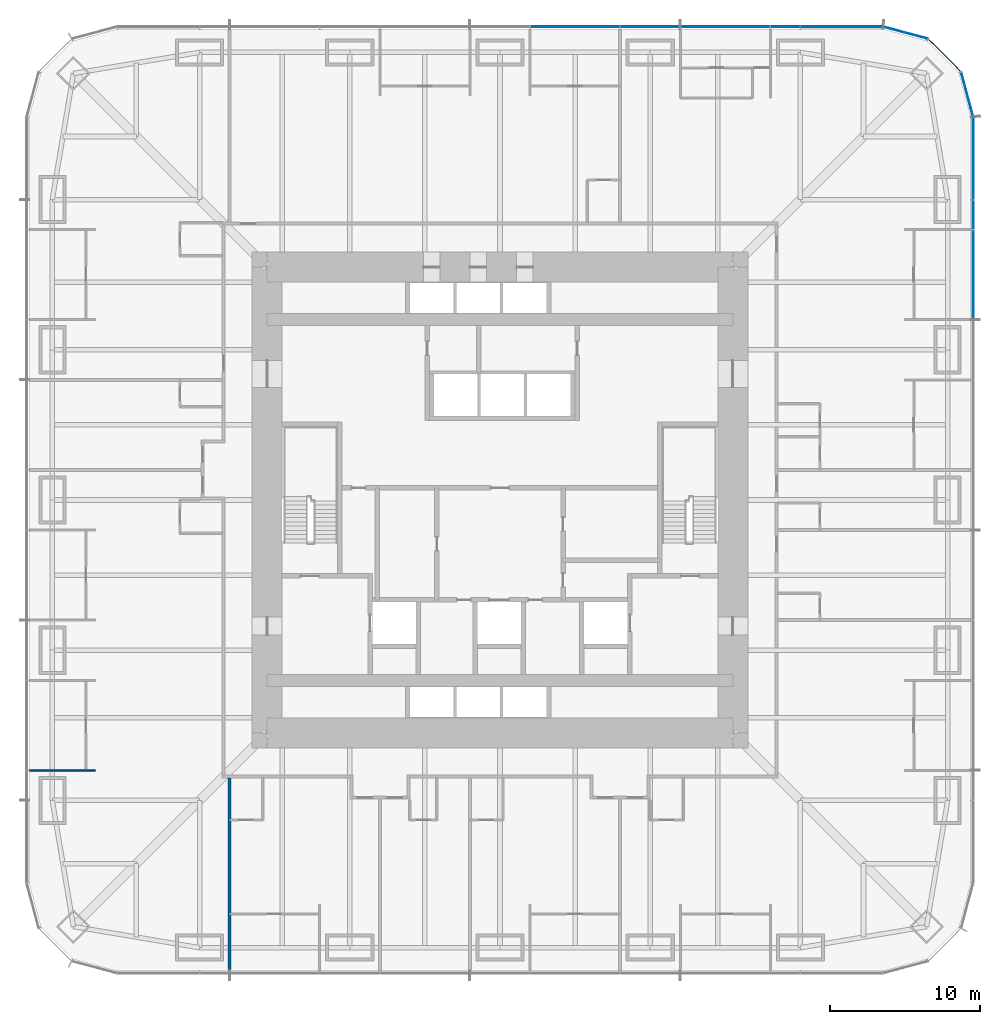
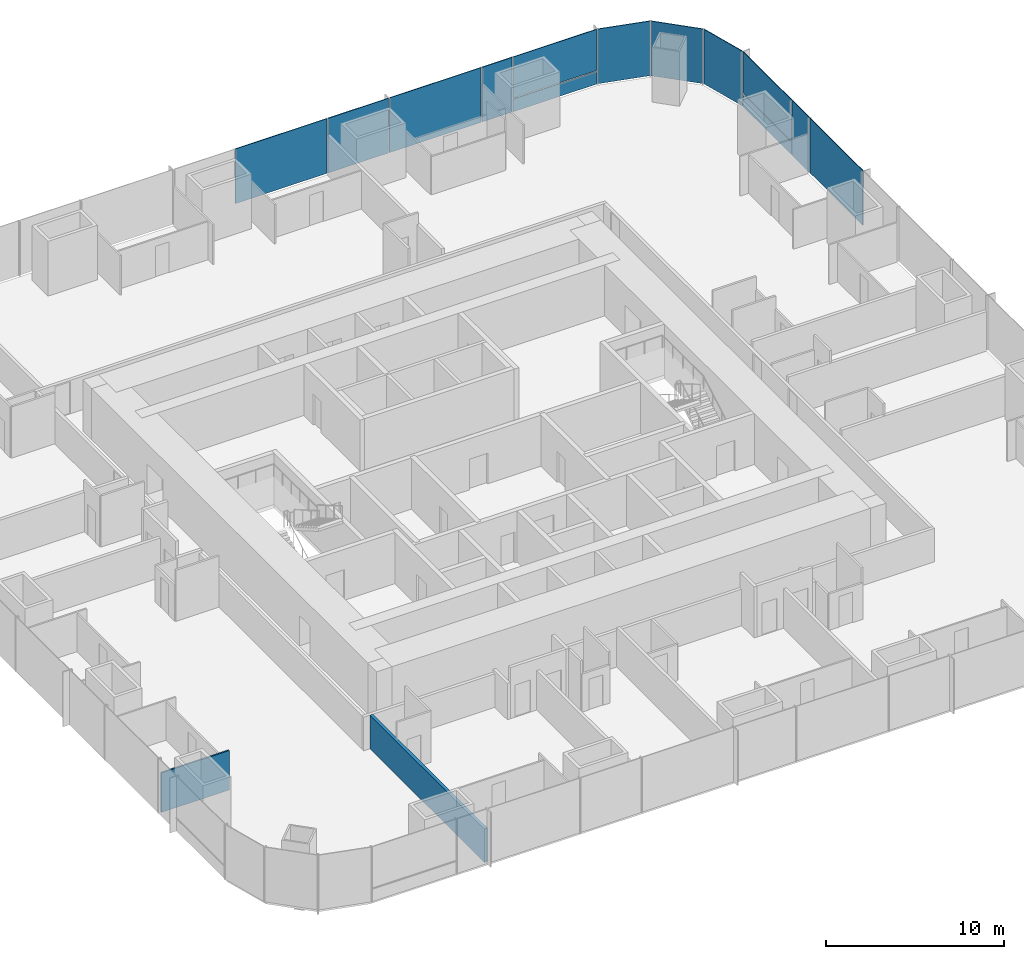
# One storey, part 11 of 16: 13 plates, 2 walls, 3 elements without a shape of their own.
"""IFC4 building model written with IfcOpenShell, lengths in metres."""

from ifc_helpers import new_model, si_unit, direction, frame, frame_2d, origin, origin_2d, place, context, subcontext, project, spatial, rectangle, extrude, material, layer, layer_set, type_object, element, aggregate, save


model = new_model("IFC4")

# Units and contexts
model_context = context("Model", 3, precision=1e-05, world=origin(), true_north=direction((0.0, 1.0)))
body_context = subcontext(model_context, "Body", "Model", "MODEL_VIEW")
ifc_project = project(units=[si_unit("LENGTHUNIT", "METRE"), si_unit("AREAUNIT", "SQUARE_METRE"), si_unit("VOLUMEUNIT", "CUBIC_METRE"), si_unit("PLANEANGLEUNIT", "RADIAN"), si_unit("MASSUNIT", "GRAM", prefix="KILO")], contexts=[model_context])

# Site, building, storey
site_placement = place(None, origin())
site = spatial("IfcSite", under=ifc_project, at=site_placement, CompositionType="ELEMENT")
building_placement = place(site_placement, origin())
building = spatial("IfcBuilding", under=site, at=building_placement, Name="Khuree Lantern Residences", CompositionType="ELEMENT")
storey_placement = place(building_placement, frame((0.0, 0.0, 54.75)))
storey = spatial("IfcBuildingStorey", under=building, at=storey_placement, Name="L13", CompositionType="ELEMENT", Elevation=54.75)

# Curtain wall, plates
ifc_material_1 = material(Name="Bronze anodised aluminium", Category="aluminium")
curtain_wall_type_1 = type_object("IfcCurtainWallType", Name="CW-T2 TOWER CORNER CURTAIN WALL", PredefinedType="USERDEFINED", material=ifc_material_1)
curtain_wall_1_placement = place(storey_placement, origin())
curtain_wall_1 = element("IfcCurtainWall", 1, at=curtain_wall_1_placement, inside=storey, type_object=curtain_wall_type_1, Name="L13 NORTH-EAST CORNER CURTAIN WALL", ObjectType="Faceted corner curtain wall", PredefinedType="USERDEFINED")
ifc_material_2 = material(Name="Bronze tinted triple glazing", Category="glass")
ifc_layer_1 = layer(ifc_material_2, 0.048095703125)
ifc_layer_set_1 = layer_set([ifc_layer_1], Name="FACET PANEL P4")
plate_type_1 = type_object("IfcPlateType", Name="FACET PANEL P4", PredefinedType="CURTAIN_PANEL", material=ifc_layer_set_1)
plate_1_placement = place(storey_placement, frame((31.0986328125, 26.998046875, 0.0), z_axis=(0.0, 0.0, 1.0), x_axis=(-0.258819172081, 0.965925792265, 0.0)))
plate_1 = element("IfcPlate", 2, at=plate_1_placement, type_object=plate_type_1, Name="L13 NORTH-EAST CORNER PANEL 15.1", PredefinedType="CURTAIN_PANEL", context=body_context, shape_type="SweptSolid", body=[
    extrude(rectangle(XDim=3.02978515625, YDim=0.048095703125, at=origin_2d()), origin(), (0.0, 0.0, 1.0), 3.75),
])
plate_2_placement = place(storey_placement, frame((29.59814453125, 29.59814453125, 0.0), z_axis=(0.0, 0.0, 1.0), x_axis=(-0.707106781187, 0.707106781187, 0.0)))
plate_2 = element("IfcPlate", 3, at=plate_2_placement, type_object=plate_type_1, Name="L13 NORTH-EAST CORNER PANEL 16.1", PredefinedType="CURTAIN_PANEL", context=body_context, shape_type="SweptSolid", body=[
    extrude(rectangle(XDim=3.025634765625, YDim=0.048095703125, at=origin_2d()), origin(), (0.0, 0.0, 1.0), 3.75),
])
plate_3_placement = place(storey_placement, frame((26.998046875, 31.0986328125, 0.0), z_axis=(0.0, 0.0, 1.0), x_axis=(-0.965925792265, 0.258819172081, 0.0)))
plate_3 = element("IfcPlate", 4, at=plate_3_placement, type_object=plate_type_1, Name="L13 NORTH-EAST CORNER PANEL 17.1", PredefinedType="CURTAIN_PANEL", context=body_context, shape_type="SweptSolid", body=[
    extrude(rectangle(XDim=3.02978515625, YDim=0.048095703125, at=origin_2d()), origin(), (0.0, 0.0, 1.0), 3.75),
])
aggregate(curtain_wall_1, [plate_1, plate_2, plate_3])

# Curtain wall, plate
curtain_wall_type_2 = type_object("IfcCurtainWallType", Name="CW-T1 TOWER FACE CURTAIN WALL", PredefinedType="USERDEFINED", material=ifc_material_1)
curtain_wall_2_placement = place(storey_placement, origin())
curtain_wall_2 = element("IfcCurtainWall", 5, at=curtain_wall_2_placement, inside=storey, type_object=curtain_wall_type_2, Name="L13 EAST FACE CURTAIN WALL", ObjectType="Stick-built curtain wall", PredefinedType="USERDEFINED")
ifc_material_3 = material(Name="Bronze tinted triple glazing with a ceramic-fritted spandrel band", Category="glass")
ifc_layer_2 = layer(ifc_material_3, 0.048095703125)
ifc_layer_set_2 = layer_set([ifc_layer_2], Name="FIXED LIGHT PANEL P11")
plate_type_2 = type_object("IfcPlateType", Name="FIXED LIGHT PANEL P11", PredefinedType="CURTAIN_PANEL", material=ifc_layer_set_2)
plate_4_placement = place(storey_placement, frame((31.5, 15.0, 0.0), z_axis=(0.0, 0.0, 1.0), x_axis=(0.0, 1.0, 0.0)))
plate_4 = element("IfcPlate", 6, at=plate_4_placement, type_object=plate_type_2, Name="L13 EAST FACE PANEL 12.1", PredefinedType="CURTAIN_PANEL", context=body_context, shape_type="SweptSolid", body=[
    extrude(rectangle(XDim=5.93505859375, YDim=0.048095703125, at=origin_2d()), origin(), (0.0, 0.0, 1.0), 3.75),
])

# Curtain wall, plates
curtain_wall_3_placement = place(storey_placement, origin())
curtain_wall_3 = element("IfcCurtainWall", 7, at=curtain_wall_3_placement, inside=storey, type_object=curtain_wall_type_2, Name="L13 NORTH FACE CURTAIN WALL", ObjectType="Stick-built curtain wall", PredefinedType="USERDEFINED")
plate_5_placement = place(storey_placement, frame((15.0, 31.5, 0.0), z_axis=(0.0, 0.0, 1.0), x_axis=(-1.0, 0.0, 0.0)))
plate_5 = element("IfcPlate", 8, at=plate_5_placement, type_object=plate_type_2, Name="L13 NORTH FACE PANEL 20.1", PredefinedType="CURTAIN_PANEL", context=body_context, shape_type="SweptSolid", body=[
    extrude(rectangle(XDim=5.93505859375, YDim=0.048095703125, at=origin_2d()), origin(), (0.0, 0.0, 1.0), 3.75),
])
plate_6_placement = place(storey_placement, frame((5.0, 31.5, 0.0), z_axis=(0.0, 0.0, 1.0), x_axis=(-1.0, 0.0, 0.0)))
plate_6 = element("IfcPlate", 9, at=plate_6_placement, type_object=plate_type_2, Name="L13 NORTH FACE PANEL 22.1", PredefinedType="CURTAIN_PANEL", context=body_context, shape_type="SweptSolid", body=[
    extrude(rectangle(XDim=5.93505859375, YDim=0.048095703125, at=origin_2d()), origin(), (0.0, 0.0, 1.0), 3.75),
])
ifc_material_4 = material(Name="Bronze tinted triple glazing, two aluminium-framed sashes in one frame", Category="aluminium")
ifc_layer_3 = layer(ifc_material_4, 0.048095703125)
ifc_layer_set_3 = layer_set([ifc_layer_3], Name="SASH PAIR PANEL P12")
plate_type_3 = type_object("IfcPlateType", Name="SASH PAIR PANEL P12", PredefinedType="CURTAIN_PANEL", material=ifc_layer_set_3)
plate_7_placement = place(storey_placement, frame((10.0, 31.5, 0.0), z_axis=(0.0, 0.0, 1.0), x_axis=(-1.0, 0.0, 0.0)))
plate_7 = element("IfcPlate", 10, at=plate_7_placement, type_object=plate_type_3, Name="L13 NORTH FACE PANEL 21.1", PredefinedType="CURTAIN_PANEL", context=body_context, shape_type="SweptSolid", body=[
    extrude(rectangle(XDim=3.93505859375, YDim=0.048095703125, at=origin_2d()), origin(), (0.0, 0.0, 1.0), 3.75),
])

# Plate
ifc_material_5 = material(Name="Bronze tinted triple glazing, aluminium-framed sash", Category="aluminium")
ifc_layer_4 = layer(ifc_material_5, 0.048095703125)
ifc_layer_set_4 = layer_set([ifc_layer_4], Name="SASH PANEL P3")
plate_type_4 = type_object("IfcPlateType", Name="SASH PANEL P3", PredefinedType="CURTAIN_PANEL", material=ifc_layer_set_4)
plate_8_placement = place(storey_placement, frame((31.5, 19.0, 0.0), z_axis=(0.0, 0.0, 1.0), x_axis=(0.0, 1.0, 0.0)))
plate_8 = element("IfcPlate", 11, at=plate_8_placement, type_object=plate_type_4, Name="L13 EAST FACE PANEL 13.1", PredefinedType="CURTAIN_PANEL", context=body_context, shape_type="SweptSolid", body=[
    extrude(rectangle(XDim=1.93505859375, YDim=0.048095703125, at=origin_2d()), origin(), (0.0, 0.0, 1.0), 3.75),
])

plate_9_placement = place(storey_placement, frame((19.0, 31.5, 0.0), z_axis=(0.0, 0.0, 1.0), x_axis=(-1.0, 0.0, 0.0)))
plate_9 = element("IfcPlate", 12, at=plate_9_placement, type_object=plate_type_4, Name="L13 NORTH FACE PANEL 19.1", PredefinedType="CURTAIN_PANEL", context=body_context, shape_type="SweptSolid", body=[
    extrude(rectangle(XDim=1.93505859375, YDim=0.048095703125, at=origin_2d()), origin(), (0.0, 0.0, 1.0), 3.75),
])

ifc_material_6 = material(Name="Bronze anodised aluminium insulated spandrel", Category="aluminium")
ifc_layer_5 = layer(ifc_material_6, 0.06005859375)
ifc_layer_set_5 = layer_set([ifc_layer_5], Name="SPANDREL PANEL P2")
plate_type_5 = type_object("IfcPlateType", Name="SPANDREL PANEL P2", PredefinedType="CURTAIN_PANEL", material=ifc_layer_set_5)
plate_10_placement = place(storey_placement, frame((31.5, 22.747802734375, 0.0), z_axis=(0.0, 0.0, 1.0), x_axis=(0.0, 1.0, 0.0)))
plate_10 = element("IfcPlate", 13, at=plate_10_placement, type_object=plate_type_5, Name="L13 EAST FACE PANEL 14.1", PredefinedType="CURTAIN_PANEL", context=body_context, shape_type="SweptSolid", body=[
    extrude(rectangle(XDim=5.4306640625, YDim=0.06005859375, at=origin_2d()), origin(), (0.0, 0.0, 1.0), 0.867431640625),
])

plate_11_placement = place(storey_placement, frame((22.747802734375, 31.5, 0.0), z_axis=(0.0, 0.0, 1.0), x_axis=(-1.0, 0.0, 0.0)))
plate_11 = element("IfcPlate", 14, at=plate_11_placement, type_object=plate_type_5, Name="L13 NORTH FACE PANEL 18.1", PredefinedType="CURTAIN_PANEL", context=body_context, shape_type="SweptSolid", body=[
    extrude(rectangle(XDim=5.4306640625, YDim=0.06005859375, at=origin_2d()), origin(), (0.0, 0.0, 1.0), 0.867431640625),
])

ifc_layer_6 = layer(ifc_material_2, 0.048095703125)
ifc_layer_set_6 = layer_set([ifc_layer_6], Name="VISION PANEL P1")
plate_type_6 = type_object("IfcPlateType", Name="VISION PANEL P1", PredefinedType="CURTAIN_PANEL", material=ifc_layer_set_6)
plate_12_placement = place(storey_placement, frame((31.5, 22.748291015625, 0.9326171875), z_axis=(0.0, 0.0, 1.0), x_axis=(0.0, 1.0, 0.0)))
plate_12 = element("IfcPlate", 15, at=plate_12_placement, type_object=plate_type_6, Name="L13 EAST FACE PANEL 14.2", PredefinedType="CURTAIN_PANEL", context=body_context, shape_type="SweptSolid", body=[
    extrude(rectangle(XDim=5.431640625, YDim=0.048095703125, at=origin_2d()), origin(), (0.0, 0.0, 1.0), 2.8173828125),
])

aggregate(curtain_wall_2, [plate_4, plate_8, plate_10, plate_12])

plate_13_placement = place(storey_placement, frame((22.748291015625, 31.5, 0.9326171875), z_axis=(0.0, 0.0, 1.0), x_axis=(-1.0, 0.0, 0.0)))
plate_13 = element("IfcPlate", 16, at=plate_13_placement, type_object=plate_type_6, Name="L13 NORTH FACE PANEL 18.2", PredefinedType="CURTAIN_PANEL", context=body_context, shape_type="SweptSolid", body=[
    extrude(rectangle(XDim=5.431640625, YDim=0.048095703125, at=origin_2d()), origin(), (0.0, 0.0, 1.0), 2.8173828125),
])

aggregate(curtain_wall_3, [plate_11, plate_13, plate_9, plate_5, plate_7, plate_6])

# Walls
ifc_material_7 = material(Name="Gypsum board on steel studs", Category="steel")
ifc_layer_7 = layer(ifc_material_7, 0.199951171875)
ifc_layer_set_7 = layer_set([ifc_layer_7], Name="DEMISING WALL DMW200 EI 90")
wall_type_1 = type_object("IfcWallType", Name="DEMISING WALL DMW200 EI 90", PredefinedType="PARTITIONING", material=ifc_layer_set_7)
wall_1_placement = place(storey_placement, frame((-18.0, -18.5, 0.0), z_axis=(0.0, 0.0, 1.0), x_axis=(0.0, -1.0, 0.0)))
element("IfcWall", 17, at=wall_1_placement, inside=storey, type_object=wall_type_1, Name="L13 DEMISING WALL 08", PredefinedType="PARTITIONING", context=body_context, shape_type="SweptSolid", body=[
    extrude(rectangle(XDim=12.85009765625, YDim=0.199951171875, at=frame_2d((6.425048828125, 0.0))), origin(), (0.0, 0.0, 1.0), 2.300048828125),
])
ifc_layer_8 = layer(ifc_material_7, 0.10009765625)
ifc_layer_set_8 = layer_set([ifc_layer_8], Name="PARTITION PT100")
wall_type_2 = type_object("IfcWallType", Name="PARTITION PT100", PredefinedType="PARTITIONING", material=ifc_layer_set_8)
wall_2_placement = place(storey_placement, frame((-26.949951171875, -18.0, 0.0), z_axis=(0.0, 0.0, 1.0), x_axis=(-1.0, 0.0, 0.0)))
element("IfcWall", 18, at=wall_2_placement, inside=storey, type_object=wall_type_2, Name="L13 PARTITION 07", PredefinedType="PARTITIONING", context=body_context, shape_type="SweptSolid", body=[
    extrude(rectangle(XDim=4.400146484375, YDim=0.10009765625, at=frame_2d((2.2001953125, 0.0))), origin(), (0.0, 0.0, 1.0), 2.7099609375),
])

save(model, "model.ifc")
